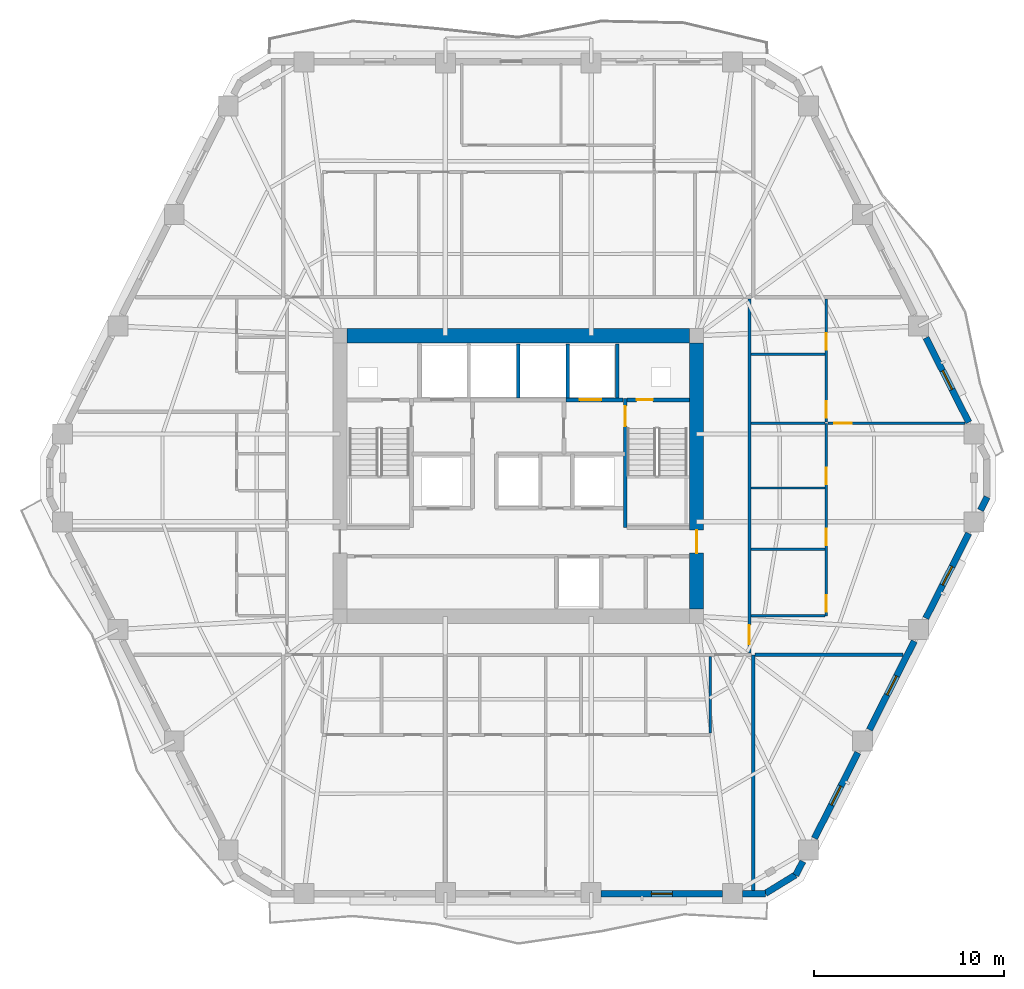
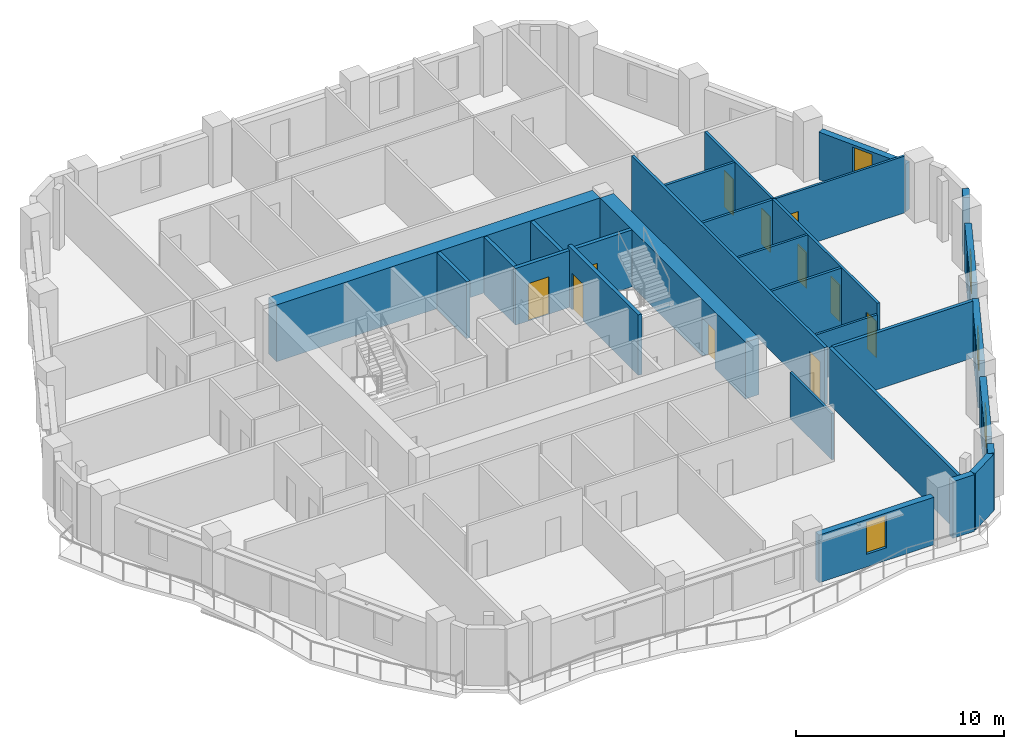
# One storey, part 6 of 12: 29 walls, 11 doors, 5 windows, 16 openings.
"""IFC4 building model written with IfcOpenShell, lengths in metres."""

from ifc_helpers import new_model, si_unit, direction, frame, frame_2d, origin, place, context, subcontext, project, spatial, rectangle, extrude, material, layer, layer_set, type_object, element, fill, save


model = new_model("IFC4")

# Units and contexts
model_context = context("Model", 3, precision=1e-05, world=origin(), true_north=direction((0.0, 1.0)))
body_context = subcontext(model_context, "Body", "Model", "MODEL_VIEW")
ifc_project = project(units=[si_unit("LENGTHUNIT", "METRE"), si_unit("AREAUNIT", "SQUARE_METRE"), si_unit("VOLUMEUNIT", "CUBIC_METRE"), si_unit("PLANEANGLEUNIT", "RADIAN"), si_unit("MASSUNIT", "GRAM", prefix="KILO")], contexts=[model_context])

# Site, building, storey
site_placement = place(None, origin())
site = spatial("IfcSite", under=ifc_project, at=site_placement, CompositionType="ELEMENT")
building_placement = place(site_placement, origin())
building = spatial("IfcBuilding", under=site, at=building_placement, Name="Cinnabar Lancet Tower", CompositionType="ELEMENT")
storey_placement = place(building_placement, frame((0.0, 0.0, 112.60009765625)))
storey = spatial("IfcBuildingStorey", under=building, at=storey_placement, Name="L29", CompositionType="ELEMENT", Elevation=112.60009765625)

# Wall, opening, door
ifc_material_1 = material(Name="Acoustic twin-stud gypsum partition", Category="gypsum")
ifc_layer_1 = layer(ifc_material_1, 0.159912109375)
ifc_layer_set_1 = layer_set([ifc_layer_1], Name="Acoustic twin-stud gypsum partition")
wall_type_1 = type_object("IfcWallType", Name="ARC-WL-CORR-160", PredefinedType="PARTITIONING", material=ifc_layer_set_1)
wall_1_placement = place(storey_placement, frame((44.550048828125, 16.594970703125, 0.0), z_axis=(0.0, 0.0, 1.0), x_axis=(0.0, 1.0, 0.0)))
wall_1 = element("IfcWall", 1, at=wall_1_placement, inside=storey, type_object=wall_type_1, Name="UW-L29-E01-COR", PredefinedType="PARTITIONING", context=body_context, shape_type="SweptSolid", body=[
    extrude(rectangle(XDim=18.610107421875, YDim=0.159912109375, at=frame_2d((9.30517578125, 0.0))), origin(), (0.0, 0.0, 1.0), 3.33984375),
])
opening_1_placement = place(wall_1_placement, frame((0.449951171875, 0.0, 0.0)))
opening_1 = element("IfcOpeningElement", 2, at=opening_1_placement, cuts=wall_1, Name="Opening UD-01", PredefinedType="OPENING", context=body_context, shape_type="SweptSolid", body=[
    extrude(rectangle(XDim=1.02001953125, YDim=2.25, at=frame_2d((0.510009765625, 1.125))), frame((0.0, 0.08984375, 0.0), z_axis=(0.0, -1.0, 0.0), x_axis=(1.0, 0.0, 0.0)), (0.0, 0.0, 1.0), 0.179931640625),
])
ifc_material_2 = material(Name="Solid timber fire-rated apartment entrance door", Category="wood")
door_type_1 = type_object("IfcDoorType", Name="ARC-DR-UNIT", OperationType="NOTDEFINED", PredefinedType="DOOR", material=ifc_material_2)
door_1_placement = place(opening_1_placement, origin())
door_1 = element("IfcDoor", 3, at=door_1_placement, inside=storey, type_object=door_type_1, Name="DR-L29-E01-ENT", OperationType="SINGLE_SWING_LEFT", OverallHeight=2.25, OverallWidth=1.02001953125, PredefinedType="DOOR", context=body_context, shape_type="SweptSolid", body=[
    extrude(rectangle(XDim=1.02001953125, YDim=2.25, at=frame_2d((0.510009765625, 1.125))), frame((0.0, 0.02490234375, 0.0), z_axis=(0.0, -1.0, 0.0), x_axis=(1.0, 0.0, 0.0)), (0.0, 0.0, 1.0), 0.050048828125),
])
fill(opening_1, door_1)

# Walls
ifc_material_3 = material(Name="Fire-rated twin-frame acoustic drywall", Category="gypsum")
ifc_layer_2 = layer(ifc_material_3, 0.179931640625)
ifc_layer_set_2 = layer_set([ifc_layer_2], Name="Fire-rated twin-frame acoustic drywall")
wall_type_2 = type_object("IfcWallType", Name="ARC-WL-PARTY-180", PredefinedType="PARTITIONING", material=ifc_layer_set_2)
wall_2_placement = place(storey_placement, frame((44.75, 4.10498046875, 0.0), z_axis=(0.0, 0.0, 1.0), x_axis=(0.0, 1.0, 0.0)))
element("IfcWall", 4, at=wall_2_placement, inside=storey, type_object=wall_type_2, Name="PW-L29-SPTY-448", PredefinedType="PARTITIONING", context=body_context, shape_type="SweptSolid", body=[
    extrude(rectangle(XDim=12.39501953125, YDim=0.179931640625, at=frame_2d((6.197509765625, 0.0))), origin(), (0.0, 0.0, 1.0), 3.33984375),
])
wall_3_placement = place(storey_placement, frame((44.844970703125, 16.5, 0.0), z_axis=(0.0, 0.0, 1.0), x_axis=(1.0, 0.0, 0.0)))
element("IfcWall", 5, at=wall_3_placement, inside=storey, type_object=wall_type_2, Name="PW-L29-ESB", PredefinedType="PARTITIONING", context=body_context, shape_type="SweptSolid", body=[
    extrude(rectangle(XDim=7.77001953125, YDim=0.179931640625, at=frame_2d((3.885009765625, 0.0))), origin(), (0.0, 0.0, 1.0), 3.33984375),
])

# Wall, opening, door
ifc_material_4 = material(Name="Autoclaved aerated concrete blockwork", Category="masonry")
ifc_layer_3 = layer(ifc_material_4, 0.199951171875)
ifc_layer_set_3 = layer_set([ifc_layer_3], Name="Autoclaved aerated concrete blockwork")
wall_type_3 = type_object("IfcWallType", Name="ARC-WL-SHAFT-200", PredefinedType="PLUMBINGWALL", material=ifc_layer_set_3)
wall_4_placement = place(storey_placement, frame((34.89990234375, 29.89990234375, 0.0), z_axis=(0.0, 0.0, 1.0), x_axis=(1.0, 0.0, 0.0)))
wall_4 = element("IfcWall", 6, at=wall_4_placement, inside=storey, type_object=wall_type_3, Name="CW-FL2-L29", PredefinedType="PLUMBINGWALL", context=body_context, shape_type="SweptSolid", body=[
    extrude(rectangle(XDim=3.01513671875, YDim=0.199951171875, at=frame_2d((1.507568359375, 0.0))), origin(), (0.0, 0.0, 1.0), 3.33984375),
])
opening_2_placement = place(wall_4_placement, frame((0.72509765625, 0.0, 0.0)))
opening_2 = element("IfcOpeningElement", 7, at=opening_2_placement, cuts=wall_4, Name="Opening LD-02", PredefinedType="OPENING", context=body_context, shape_type="SweptSolid", body=[
    extrude(rectangle(XDim=1.14990234375, YDim=2.199951171875, at=frame_2d((0.574951171875, 1.10009765625))), frame((0.0, 0.10986328125, 0.0), z_axis=(0.0, -1.0, 0.0), x_axis=(1.0, 0.0, 0.0)), (0.0, 0.0, 1.0), 0.219970703125),
])
ifc_material_5 = material(Name="Fire-rated stainless steel firefighting lift landing door", Category="steel")
door_type_2 = type_object("IfcDoorType", Name="ARC-DR-LD-FIRE", OperationType="NOTDEFINED", PredefinedType="DOOR", material=ifc_material_5)
door_2_placement = place(opening_2_placement, origin())
door_2 = element("IfcDoor", 8, at=door_2_placement, inside=storey, type_object=door_type_2, Name="L29 Firefighting Lift FL-2 Landing Door", OperationType="DOUBLE_DOOR_SLIDING", OverallHeight=2.199951171875, OverallWidth=1.14990234375, PredefinedType="DOOR", context=body_context, shape_type="SweptSolid", body=[
    extrude(rectangle(XDim=1.14990234375, YDim=2.199951171875, at=frame_2d((0.574951171875, 1.10009765625))), frame((0.0, 0.02490234375, 0.0), z_axis=(0.0, -1.0, 0.0), x_axis=(1.0, 0.0, 0.0)), (0.0, 0.0, 1.0), 0.050048828125),
])
fill(opening_2, door_2)

wall_5_placement = place(storey_placement, frame((38.125, 29.89990234375, 0.0), z_axis=(0.0, 0.0, 1.0), x_axis=(1.0, 0.0, 0.0)))
wall_5 = element("IfcWall", 9, at=wall_5_placement, inside=storey, type_object=wall_type_3, Name="CW-NSH-E-L29", PredefinedType="PLUMBINGWALL", context=body_context, shape_type="SweptSolid", body=[
    extrude(rectangle(XDim=3.27001953125, YDim=0.199951171875, at=frame_2d((1.635009765625, 0.0))), origin(), (0.0, 0.0, 1.0), 3.33984375),
])
opening_3_placement = place(wall_5_placement, frame((0.5, 0.0, 0.0)))
opening_3 = element("IfcOpeningElement", 10, at=opening_3_placement, cuts=wall_5, Name="Opening PD-02", PredefinedType="OPENING", context=body_context, shape_type="SweptSolid", body=[
    extrude(rectangle(XDim=0.85009765625, YDim=2.050048828125, at=frame_2d((0.425048828125, 1.02490234375))), frame((0.0, 0.10986328125, 0.0), z_axis=(0.0, -1.0, 0.0), x_axis=(1.0, 0.0, 0.0)), (0.0, 0.0, 1.0), 0.219970703125),
])
ifc_material_6 = material(Name="Fire-rated steel riser access door", Category="steel")
door_type_3 = type_object("IfcDoorType", Name="ARC-DR-RISER", OperationType="NOTDEFINED", PredefinedType="DOOR", material=ifc_material_6)
door_3_placement = place(opening_3_placement, origin())
door_3 = element("IfcDoor", 11, at=door_3_placement, inside=storey, type_object=door_type_3, Name="L29 East Riser Access Door", OperationType="SINGLE_SWING_RIGHT", OverallHeight=2.050048828125, OverallWidth=0.85009765625, PredefinedType="DOOR", context=body_context, shape_type="SweptSolid", body=[
    extrude(rectangle(XDim=0.85009765625, YDim=2.050048828125, at=frame_2d((0.425048828125, 1.02490234375))), frame((0.0, 0.02490234375, 0.0), z_axis=(0.0, -1.0, 0.0), x_axis=(1.0, 0.0, 0.0)), (0.0, 0.0, 1.0), 0.050048828125),
])
fill(opening_3, door_3)

# Walls
for number, where, z_axis, x_axis, name in (
    (12, (32.39990234375, 30.0, 0.0), (0.0, 0.0, 1.0), (0.0, 1.0, 0.0), "CW-NSH-D3-L29"),
    (13, (35.0, 30.0, 0.0), (0.0, 0.0, 1.0), (0.0, 1.0, 0.0), "CW-NSH-D4-L29"),
    (14, (37.60009765625, 30.0, 0.0), (0.0, 0.0, 1.0), (0.0, 1.0, 0.0), "CW-NSH-D5-L29"),
):
    element("IfcWall", number, at=place(storey_placement, frame(where, z_axis=z_axis, x_axis=x_axis)), inside=storey, type_object=wall_type_3, Name=name, PredefinedType="PLUMBINGWALL", context=body_context, shape_type="SweptSolid", body=[
        extrude(rectangle(XDim=2.85009765625, YDim=0.199951171875, at=frame_2d((1.425048828125, 0.0))), origin(), (0.0, 0.0, 1.0), 3.33984375),
    ])
ifc_material_7 = material(Name="Gypsum plasterboard stud partition", Category="gypsum")
ifc_layer_4 = layer(ifc_material_7, 0.125)
ifc_layer_set_4 = layer_set([ifc_layer_4], Name="Gypsum plasterboard stud partition")
wall_type_4 = type_object("IfcWallType", Name="ARC-WL-UNIT-125", PredefinedType="PARTITIONING", material=ifc_layer_set_4)
wall_6_placement = place(storey_placement, frame((42.5, 12.39111328125, 0.0), z_axis=(0.0, 0.0, 1.0), x_axis=(0.0, 1.0, 0.0)))
element("IfcWall", 15, at=wall_6_placement, inside=storey, type_object=wall_type_4, Name="UW-L29-S02-FOYW", PredefinedType="PARTITIONING", context=body_context, shape_type="SweptSolid", body=[
    extrude(rectangle(XDim=4.02392578125, YDim=0.125, at=frame_2d((2.011962890625, 0.0))), origin(), (0.0, 0.0, 1.0), 2.721923828125),
])
wall_7_placement = place(storey_placement, frame((44.635009765625, 18.550048828125, 0.0), z_axis=(0.0, 0.0, 1.0), x_axis=(1.0, 0.0, 0.0)))
element("IfcWall", 16, at=wall_7_placement, inside=storey, type_object=wall_type_4, Name="UW-L29-E01-FOYN", PredefinedType="PARTITIONING", context=body_context, shape_type="SweptSolid", body=[
    extrude(rectangle(XDim=3.8798828125, YDim=0.125, at=frame_2d((1.93994140625, 0.0))), origin(), (0.0, 0.0, 1.0), 2.721923828125),
])

# Wall, opening, door
wall_8_placement = place(storey_placement, frame((48.675048828125, 28.672119140625, 0.0), z_axis=(0.0, 0.0, 1.0), x_axis=(1.0, 0.0, 0.0)))
wall_8 = element("IfcWall", 17, at=wall_8_placement, inside=storey, type_object=wall_type_4, Name="UW-L29-E01-MBN", PredefinedType="PARTITIONING", context=body_context, shape_type="SweptSolid", body=[
    extrude(rectangle(XDim=7.2080078125, YDim=0.125, at=frame_2d((3.60400390625, 0.0))), origin(), (0.0, 0.0, 1.0), 3.33984375),
])
opening_4_placement = place(wall_8_placement, frame((0.35009765625, 0.0, 0.0)))
opening_4 = element("IfcOpeningElement", 18, at=opening_4_placement, cuts=wall_8, Name="Opening RD-01", PredefinedType="OPENING", context=body_context, shape_type="SweptSolid", body=[
    extrude(rectangle(XDim=0.919921875, YDim=2.14990234375, at=frame_2d((0.4599609375, 1.074951171875))), frame((0.0, 0.072509765625, 0.0), z_axis=(0.0, -1.0, 0.0), x_axis=(1.0, 0.0, 0.0)), (0.0, 0.0, 1.0), 0.14501953125),
])
ifc_material_8 = material(Name="Engineered timber bedroom door", Category="wood")
door_type_4 = type_object("IfcDoorType", Name="ARC-DR-ROOM", OperationType="NOTDEFINED", PredefinedType="DOOR", material=ifc_material_8)
door_4_placement = place(opening_4_placement, origin())
door_4 = element("IfcDoor", 19, at=door_4_placement, inside=storey, type_object=door_type_4, Name="DR-L29-E01-MBD", OperationType="SINGLE_SWING_LEFT", OverallHeight=2.14990234375, OverallWidth=0.919921875, PredefinedType="DOOR", context=body_context, shape_type="SweptSolid", body=[
    extrude(rectangle(XDim=0.919921875, YDim=2.14990234375, at=frame_2d((0.4599609375, 1.074951171875))), frame((0.0, 0.02490234375, 0.0), z_axis=(0.0, -1.0, 0.0), x_axis=(1.0, 0.0, 0.0)), (0.0, 0.0, 1.0), 0.050048828125),
])
fill(opening_4, door_4)

# Wall
wall_9_placement = place(storey_placement, frame((44.635009765625, 25.27197265625, 0.0), z_axis=(0.0, 0.0, 1.0), x_axis=(1.0, 0.0, 0.0)))
element("IfcWall", 20, at=wall_9_placement, inside=storey, type_object=wall_type_4, Name="UW-L29-E01-UDV", PredefinedType="PARTITIONING", context=body_context, shape_type="SweptSolid", body=[
    extrude(rectangle(XDim=3.8798828125, YDim=0.125, at=frame_2d((1.93994140625, 0.0))), origin(), (0.0, 0.0, 1.0), 3.33984375),
])

# Wall, openings, doors
ifc_material_9 = material(Name="Moisture-resistant cement-board plumbing wall", Category="masonry")
ifc_layer_5 = layer(ifc_material_9, 0.139892578125)
ifc_layer_set_5 = layer_set([ifc_layer_5], Name="Moisture-resistant cement-board plumbing wall")
wall_type_5 = type_object("IfcWallType", Name="ARC-WL-WET-140", PredefinedType="PLUMBINGWALL", material=ifc_layer_set_5)
wall_10_placement = place(storey_placement, frame((48.60009765625, 18.550048828125, 0.0), z_axis=(0.0, 0.0, 1.0), x_axis=(0.0, 1.0, 0.0)))
wall_10 = element("IfcWall", 21, at=wall_10_placement, inside=storey, type_object=wall_type_5, Name="UW-L29-E01-SPL", PredefinedType="PLUMBINGWALL", context=body_context, shape_type="SweptSolid", body=[
    extrude(rectangle(XDim=10.1220703125, YDim=0.139892578125, at=frame_2d((5.06103515625, 0.0))), origin(), (0.0, 0.0, 1.0), 3.33984375),
])
opening_5_placement = place(wall_10_placement, frame((0.199951171875, 0.0, 0.0)))
opening_5 = element("IfcOpeningElement", 22, at=opening_5_placement, cuts=wall_10, Name="Opening RD-02", PredefinedType="OPENING", context=body_context, shape_type="SweptSolid", body=[
    extrude(rectangle(XDim=0.8798828125, YDim=2.14990234375, at=frame_2d((0.43994140625, 1.074951171875))), frame((0.0, 0.079833984375, 0.0), z_axis=(0.0, -1.0, 0.0), x_axis=(1.0, 0.0, 0.0)), (0.0, 0.0, 1.0), 0.159912109375),
])
opening_6_placement = place(wall_10_placement, frame((3.699951171875, 0.0, 0.0)))
opening_6 = element("IfcOpeningElement", 23, at=opening_6_placement, cuts=wall_10, Name="Opening RD-02", PredefinedType="OPENING", context=body_context, shape_type="SweptSolid", body=[
    extrude(rectangle(XDim=0.8798828125, YDim=2.14990234375, at=frame_2d((0.43994140625, 1.074951171875))), frame((0.0, 0.079833984375, 0.0), z_axis=(0.0, -1.0, 0.0), x_axis=(1.0, 0.0, 0.0)), (0.0, 0.0, 1.0), 0.159912109375),
])
opening_7_placement = place(wall_10_placement, frame((6.922119140625, 0.0, 0.0)))
opening_7 = element("IfcOpeningElement", 24, at=opening_7_placement, cuts=wall_10, Name="Opening BD-01", PredefinedType="OPENING", context=body_context, shape_type="SweptSolid", body=[
    extrude(rectangle(XDim=0.860107421875, YDim=2.10009765625, at=frame_2d((0.43017578125, 1.050048828125))), frame((0.0, 0.079833984375, 0.0), z_axis=(0.0, -1.0, 0.0), x_axis=(1.0, 0.0, 0.0)), (0.0, 0.0, 1.0), 0.159912109375),
])
ifc_material_10 = material(Name="Moisture-resistant timber bathroom door", Category="wood")
door_type_5 = type_object("IfcDoorType", Name="ARC-DR-BATH", OperationType="NOTDEFINED", PredefinedType="DOOR", material=ifc_material_10)
door_5_placement = place(opening_7_placement, origin())
door_5 = element("IfcDoor", 25, at=door_5_placement, inside=storey, type_object=door_type_5, Name="DR-L29-E01-BTH", OperationType="SINGLE_SWING_RIGHT", OverallHeight=2.10009765625, OverallWidth=0.860107421875, PredefinedType="DOOR", context=body_context, shape_type="SweptSolid", body=[
    extrude(rectangle(XDim=0.860107421875, YDim=2.10009765625, at=frame_2d((0.43017578125, 1.050048828125))), frame((0.0, 0.02490234375, 0.0), z_axis=(0.0, -1.0, 0.0), x_axis=(1.0, 0.0, 0.0)), (0.0, 0.0, 1.0), 0.050048828125),
])
fill(opening_7, door_5)
ifc_material_11 = material(Name="Engineered timber study door", Category="wood")
door_type_6 = type_object("IfcDoorType", Name="ARC-DR-STUDY", OperationType="NOTDEFINED", PredefinedType="DOOR", material=ifc_material_11)
door_6_placement = place(opening_5_placement, origin())
door_6 = element("IfcDoor", 26, at=door_6_placement, inside=storey, type_object=door_type_6, Name="DR-L29-E01-KIT", OperationType="SINGLE_SWING_RIGHT", OverallHeight=2.14990234375, OverallWidth=0.8798828125, PredefinedType="DOOR", context=body_context, shape_type="SweptSolid", body=[
    extrude(rectangle(XDim=0.8798828125, YDim=2.14990234375, at=frame_2d((0.43994140625, 1.074951171875))), frame((0.0, 0.02490234375, 0.0), z_axis=(0.0, -1.0, 0.0), x_axis=(1.0, 0.0, 0.0)), (0.0, 0.0, 1.0), 0.050048828125),
])
fill(opening_5, door_6)
door_7_placement = place(opening_6_placement, origin())
door_7 = element("IfcDoor", 27, at=door_7_placement, inside=storey, type_object=door_type_6, Name="DR-L29-E01-UTL", OperationType="SINGLE_SWING_LEFT", OverallHeight=2.14990234375, OverallWidth=0.8798828125, PredefinedType="DOOR", context=body_context, shape_type="SweptSolid", body=[
    extrude(rectangle(XDim=0.8798828125, YDim=2.14990234375, at=frame_2d((0.43994140625, 1.074951171875))), frame((0.0, 0.02490234375, 0.0), z_axis=(0.0, -1.0, 0.0), x_axis=(1.0, 0.0, 0.0)), (0.0, 0.0, 1.0), 0.050048828125),
])
fill(opening_6, door_7)

wall_11_placement = place(storey_placement, frame((48.60009765625, 28.741943359375, 0.0), z_axis=(0.0, 0.0, 1.0), x_axis=(0.0, 1.0, 0.0)))
wall_11 = element("IfcWall", 28, at=wall_11_placement, inside=storey, type_object=wall_type_5, Name="UW-L29-E01-SPM", PredefinedType="PLUMBINGWALL", context=body_context, shape_type="SweptSolid", body=[
    extrude(rectangle(XDim=6.463134765625, YDim=0.139892578125, at=frame_2d((3.2314453125, 0.0))), origin(), (0.0, 0.0, 1.0), 3.33984375),
])
opening_8_placement = place(wall_11_placement, frame((0.219970703125, 0.0, 0.0)))
opening_8 = element("IfcOpeningElement", 29, at=opening_8_placement, cuts=wall_11, Name="Opening BD-01", PredefinedType="OPENING", context=body_context, shape_type="SweptSolid", body=[
    extrude(rectangle(XDim=0.860107421875, YDim=2.10009765625, at=frame_2d((0.43017578125, 1.050048828125))), frame((0.0, 0.079833984375, 0.0), z_axis=(0.0, -1.0, 0.0), x_axis=(1.0, 0.0, 0.0)), (0.0, 0.0, 1.0), 0.159912109375),
])
opening_9_placement = place(wall_11_placement, frame((3.785888671875, 0.0, 0.0)))
opening_9 = element("IfcOpeningElement", 30, at=opening_9_placement, cuts=wall_11, Name="Opening RD-02", PredefinedType="OPENING", context=body_context, shape_type="SweptSolid", body=[
    extrude(rectangle(XDim=0.8798828125, YDim=2.14990234375, at=frame_2d((0.43994140625, 1.074951171875))), frame((0.0, 0.079833984375, 0.0), z_axis=(0.0, -1.0, 0.0), x_axis=(1.0, 0.0, 0.0)), (0.0, 0.0, 1.0), 0.159912109375),
])
door_8_placement = place(opening_8_placement, origin())
door_8 = element("IfcDoor", 31, at=door_8_placement, inside=storey, type_object=door_type_5, Name="DR-L29-E01-ENS", OperationType="SINGLE_SWING_LEFT", OverallHeight=2.10009765625, OverallWidth=0.860107421875, PredefinedType="DOOR", context=body_context, shape_type="SweptSolid", body=[
    extrude(rectangle(XDim=0.860107421875, YDim=2.10009765625, at=frame_2d((0.43017578125, 1.050048828125))), frame((0.0, 0.02490234375, 0.0), z_axis=(0.0, -1.0, 0.0), x_axis=(1.0, 0.0, 0.0)), (0.0, 0.0, 1.0), 0.050048828125),
])
fill(opening_8, door_8)
door_9_placement = place(opening_9_placement, origin())
door_9 = element("IfcDoor", 32, at=door_9_placement, inside=storey, type_object=door_type_6, Name="DR-L29-E01-EWDR", OperationType="SINGLE_SWING_RIGHT", OverallHeight=2.14990234375, OverallWidth=0.8798828125, PredefinedType="DOOR", context=body_context, shape_type="SweptSolid", body=[
    extrude(rectangle(XDim=0.8798828125, YDim=2.14990234375, at=frame_2d((0.43994140625, 1.074951171875))), frame((0.0, 0.02490234375, 0.0), z_axis=(0.0, -1.0, 0.0), x_axis=(1.0, 0.0, 0.0)), (0.0, 0.0, 1.0), 0.050048828125),
])
fill(opening_9, door_9)

# Walls
for number, where, z_axis, x_axis, name in (
    (33, (44.635009765625, 28.672119140625, 0.0), (0.0, 0.0, 1.0), (1.0, 0.0, 0.0), "UW-L29-E01-ENSN"),
    (34, (44.635009765625, 22.050048828125, 0.0), (0.0, 0.0, 1.0), (1.0, 0.0, 0.0), "UW-L29-E01-KDV"),
    (35, (44.635009765625, 32.30810546875, 0.0), (0.0, 0.0, 1.0), (1.0, 0.0, 0.0), "UW-L29-E01-EWDV"),
):
    element("IfcWall", number, at=place(storey_placement, frame(where, z_axis=z_axis, x_axis=x_axis)), inside=storey, type_object=wall_type_5, Name=name, PredefinedType="PLUMBINGWALL", context=body_context, shape_type="SweptSolid", body=[
        extrude(rectangle(XDim=3.8798828125, YDim=0.139892578125, at=frame_2d((1.93994140625, 0.0))), origin(), (0.0, 0.0, 1.0), 3.33984375),
    ])
ifc_material_12 = material(Name="Cinnabar red clay brick", Category="masonry")
ifc_layer_6 = layer(ifc_material_12, 0.340087890625)
ifc_layer_set_6 = layer_set([ifc_layer_6], Name="Cinnabar red clay brick")
wall_type_6 = type_object("IfcWallType", Name="ENV-WL-BRK-RED-340", PredefinedType="STANDARD", material=ifc_layer_set_6)
wall_12_placement = place(storey_placement, frame((45.39697265625, 3.955078125, 0.0), z_axis=(0.0, 0.0, 1.0), x_axis=(0.851798915137, 0.523868884523, 0.0)))
element("IfcWall", 36, at=wall_12_placement, inside=storey, type_object=wall_type_6, Name="L29 Chamfered Corner Brick Pier 2.1", PredefinedType="STANDARD", context=body_context, shape_type="SweptSolid", body=[
    extrude(rectangle(XDim=1.847900390625, YDim=0.340087890625, at=frame_2d((0.923828125, 0.0))), origin(), (0.0, 0.0, 1.0), 3.33984375),
])

# Wall, opening, window
wall_13_placement = place(storey_placement, frame((36.760986328125, 3.929931640625, 0.0), z_axis=(0.0, 0.0, 1.0), x_axis=(1.0, 0.0, 0.0)))
wall_13 = element("IfcWall", 37, at=wall_13_placement, inside=storey, type_object=wall_type_6, Name="L29 Face 1 Masonry Bay Wall 4", PredefinedType="STANDARD", context=body_context, shape_type="SweptSolid", body=[
    extrude(rectangle(XDim=6.37890625, YDim=0.340087890625, at=frame_2d((3.189453125, 0.0))), origin(), (0.0, 0.0, 1.0), 2.796875),
])
opening_10_placement = place(wall_13_placement, frame((2.638916015625, 0.0, 0.75)))
opening_10 = element("IfcOpeningElement", 38, at=opening_10_placement, cuts=wall_13, Name="Opening WN-04", PredefinedType="OPENING", context=body_context, shape_type="SweptSolid", body=[
    extrude(rectangle(XDim=1.10009765625, YDim=1.89697265625, at=frame_2d((0.550048828125, 0.948486328125))), frame((0.0, 0.179931640625, 0.0), z_axis=(0.0, -1.0, 0.0), x_axis=(1.0, 0.0, 0.0)), (0.0, 0.0, 1.0), 0.360107421875),
])
ifc_material_13 = material(Name="Thermally broken bronze-anodized aluminium tall lancet window", Category="aluminium")
window_type = type_object("IfcWindowType", Name="ENV-WN-LANCET-1100", PartitioningType="SINGLE_PANEL", PredefinedType="WINDOW", material=ifc_material_13)
window_1_placement = place(opening_10_placement, origin())
window_1 = element("IfcWindow", 39, at=window_1_placement, inside=storey, type_object=window_type, Name="L29 Face 1 Gothic Lancet Window 4", OverallHeight=1.89697265625, OverallWidth=1.10009765625, PartitioningType="SINGLE_PANEL", PredefinedType="WINDOW", context=body_context, shape_type="SweptSolid", body=[
    extrude(rectangle(XDim=1.10009765625, YDim=1.89697265625, at=frame_2d((0.550048828125, 0.948486328125))), frame((0.0, 0.030029296875, 0.0), z_axis=(0.0, -1.0, 0.0), x_axis=(1.0, 0.0, 0.0)), (0.0, 0.0, 1.0), 0.06005859375),
])
fill(opening_10, window_1)

# Walls
wall_14_placement = place(storey_placement, frame((44.197998046875, 3.929931640625, 0.0), z_axis=(0.0, 0.0, 1.0), x_axis=(1.0, 0.0, 0.0)))
element("IfcWall", 40, at=wall_14_placement, inside=storey, type_object=wall_type_6, Name="L29 Face 1 Masonry Bay Wall 5", PredefinedType="STANDARD", context=body_context, shape_type="SweptSolid", body=[
    extrude(rectangle(XDim=1.2041015625, YDim=0.340087890625, at=frame_2d((0.60205078125, 0.0))), origin(), (0.0, 0.0, 1.0), 3.33984375),
])
wall_15_placement = place(storey_placement, frame((46.990966796875, 4.906982421875, 0.0), z_axis=(0.0, 0.0, 1.0), x_axis=(0.45172514337, 0.892157158155, 0.0)))
element("IfcWall", 41, at=wall_15_placement, inside=storey, type_object=wall_type_6, Name="L29 Face 2 Masonry Bay Wall 1", PredefinedType="STANDARD", context=body_context, shape_type="SweptSolid", body=[
    extrude(rectangle(XDim=0.821533203125, YDim=0.340087890625, at=frame_2d((0.41064453125, 0.0))), origin(), (0.0, 0.0, 1.0), 3.33984375),
])

# Wall, opening, window
wall_16_placement = place(storey_placement, frame((47.97509765625, 6.85205078125, 0.0), z_axis=(0.0, 0.0, 1.0), x_axis=(0.451548465867, 0.892246593142, 0.0)))
wall_16 = element("IfcWall", 42, at=wall_16_placement, inside=storey, type_object=wall_type_6, Name="L29 Face 2 Masonry Bay Wall 2", PredefinedType="STANDARD", context=body_context, shape_type="SweptSolid", body=[
    extrude(rectangle(XDim=5.040283203125, YDim=0.340087890625, at=frame_2d((2.52001953125, 0.0))), origin(), (0.0, 0.0, 1.0), 2.796875),
])
opening_11_placement = place(wall_16_placement, frame((1.969970703125, 0.0, 0.75)))
opening_11 = element("IfcOpeningElement", 43, at=opening_11_placement, cuts=wall_16, Name="Opening WN-04", PredefinedType="OPENING", context=body_context, shape_type="SweptSolid", body=[
    extrude(rectangle(XDim=1.10009765625, YDim=1.89697265625, at=frame_2d((0.550048828125, 0.948486328125))), frame((0.0, 0.179931640625, 0.0), z_axis=(0.0, -1.0, 0.0), x_axis=(1.0, 0.0, 0.0)), (0.0, 0.0, 1.0), 0.360107421875),
])
window_2_placement = place(opening_11_placement, origin())
window_2 = element("IfcWindow", 44, at=window_2_placement, inside=storey, type_object=window_type, Name="L29 Face 2 Gothic Lancet Window 2", OverallHeight=1.89697265625, OverallWidth=1.10009765625, PartitioningType="SINGLE_PANEL", PredefinedType="WINDOW", context=body_context, shape_type="SweptSolid", body=[
    extrude(rectangle(XDim=1.10009765625, YDim=1.89697265625, at=frame_2d((0.550048828125, 0.948486328125))), frame((0.0, 0.030029296875, 0.0), z_axis=(0.0, -1.0, 0.0), x_axis=(1.0, 0.0, 0.0)), (0.0, 0.0, 1.0), 0.06005859375),
])
fill(opening_11, window_2)

wall_17_placement = place(storey_placement, frame((50.863037109375, 12.56103515625, 0.0), z_axis=(0.0, 0.0, 1.0), x_axis=(0.451567731634, 0.892236842855, 0.0)))
wall_17 = element("IfcWall", 45, at=wall_17_placement, inside=storey, type_object=wall_type_6, Name="L29 Face 2 Masonry Bay Wall 3", PredefinedType="STANDARD", context=body_context, shape_type="SweptSolid", body=[
    extrude(rectangle(XDim=5.219482421875, YDim=0.340087890625, at=frame_2d((2.60986328125, 0.0))), origin(), (0.0, 0.0, 1.0), 2.796875),
])
opening_12_placement = place(wall_17_placement, frame((2.06005859375, 0.0, 0.75)))
opening_12 = element("IfcOpeningElement", 46, at=opening_12_placement, cuts=wall_17, Name="Opening WN-04", PredefinedType="OPENING", context=body_context, shape_type="SweptSolid", body=[
    extrude(rectangle(XDim=1.10009765625, YDim=1.89697265625, at=frame_2d((0.550048828125, 0.948486328125))), frame((0.0, 0.179931640625, 0.0), z_axis=(0.0, -1.0, 0.0), x_axis=(1.0, 0.0, 0.0)), (0.0, 0.0, 1.0), 0.360107421875),
])
window_3_placement = place(opening_12_placement, origin())
window_3 = element("IfcWindow", 47, at=window_3_placement, inside=storey, type_object=window_type, Name="L29 Face 2 Gothic Lancet Window 3", OverallHeight=1.89697265625, OverallWidth=1.10009765625, PartitioningType="SINGLE_PANEL", PredefinedType="WINDOW", context=body_context, shape_type="SweptSolid", body=[
    extrude(rectangle(XDim=1.10009765625, YDim=1.89697265625, at=frame_2d((0.550048828125, 0.948486328125))), frame((0.0, 0.030029296875, 0.0), z_axis=(0.0, -1.0, 0.0), x_axis=(1.0, 0.0, 0.0)), (0.0, 0.0, 1.0), 0.06005859375),
])
fill(opening_12, window_3)

wall_18_placement = place(storey_placement, frame((53.83203125, 18.427978515625, 0.0), z_axis=(0.0, 0.0, 1.0), x_axis=(0.451431617681, 0.892305718102, 0.0)))
wall_18 = element("IfcWall", 48, at=wall_18_placement, inside=storey, type_object=wall_type_6, Name="L29 Face 2 Masonry Bay Wall 4", PredefinedType="STANDARD", context=body_context, shape_type="SweptSolid", body=[
    extrude(rectangle(XDim=4.994873046875, YDim=0.340087890625, at=frame_2d((2.49755859375, 0.0))), origin(), (0.0, 0.0, 1.0), 2.796875),
])
opening_13_placement = place(wall_18_placement, frame((1.947021484375, 0.0, 0.75)))
opening_13 = element("IfcOpeningElement", 49, at=opening_13_placement, cuts=wall_18, Name="Opening WN-04", PredefinedType="OPENING", context=body_context, shape_type="SweptSolid", body=[
    extrude(rectangle(XDim=1.10009765625, YDim=1.89697265625, at=frame_2d((0.550048828125, 0.948486328125))), frame((0.0, 0.179931640625, 0.0), z_axis=(0.0, -1.0, 0.0), x_axis=(1.0, 0.0, 0.0)), (0.0, 0.0, 1.0), 0.360107421875),
])
window_4_placement = place(opening_13_placement, origin())
window_4 = element("IfcWindow", 50, at=window_4_placement, inside=storey, type_object=window_type, Name="L29 Face 2 Gothic Lancet Window 4", OverallHeight=1.89697265625, OverallWidth=1.10009765625, PartitioningType="SINGLE_PANEL", PredefinedType="WINDOW", context=body_context, shape_type="SweptSolid", body=[
    extrude(rectangle(XDim=1.10009765625, YDim=1.89697265625, at=frame_2d((0.550048828125, 0.948486328125))), frame((0.0, 0.030029296875, 0.0), z_axis=(0.0, -1.0, 0.0), x_axis=(1.0, 0.0, 0.0)), (0.0, 0.0, 1.0), 0.06005859375),
])
fill(opening_13, window_4)

# Wall
wall_19_placement = place(storey_placement, frame((56.699951171875, 24.096923828125, 0.0), z_axis=(0.0, 0.0, 1.0), x_axis=(0.451819324107, 0.89210946546, 0.0)))
element("IfcWall", 51, at=wall_19_placement, inside=storey, type_object=wall_type_6, Name="L29 Face 2 Masonry Bay Wall 5", PredefinedType="STANDARD", context=body_context, shape_type="SweptSolid", body=[
    extrude(rectangle(XDim=0.783447265625, YDim=0.340087890625, at=frame_2d((0.3916015625, 0.0))), origin(), (0.0, 0.0, 1.0), 3.33984375),
])

# Wall, opening, window
wall_20_placement = place(storey_placement, frame((56.0869140625, 28.715087890625, 0.0), z_axis=(0.0, 0.0, 1.0), x_axis=(-0.451431617681, 0.892305718102, 0.0)))
wall_20 = element("IfcWall", 52, at=wall_20_placement, inside=storey, type_object=wall_type_6, Name="L29 Face 3 Masonry Bay Wall 2", PredefinedType="STANDARD", context=body_context, shape_type="SweptSolid", body=[
    extrude(rectangle(XDim=4.994873046875, YDim=0.340087890625, at=frame_2d((2.49755859375, 0.0))), origin(), (0.0, 0.0, 1.0), 2.796875),
])
opening_14_placement = place(wall_20_placement, frame((1.947021484375, 0.0, 0.75)))
opening_14 = element("IfcOpeningElement", 53, at=opening_14_placement, cuts=wall_20, Name="Opening WN-04", PredefinedType="OPENING", context=body_context, shape_type="SweptSolid", body=[
    extrude(rectangle(XDim=1.10009765625, YDim=1.89697265625, at=frame_2d((0.550048828125, 0.948486328125))), frame((0.0, 0.179931640625, 0.0), z_axis=(0.0, -1.0, 0.0), x_axis=(1.0, 0.0, 0.0)), (0.0, 0.0, 1.0), 0.360107421875),
])
window_5_placement = place(opening_14_placement, origin())
window_5 = element("IfcWindow", 54, at=window_5_placement, inside=storey, type_object=window_type, Name="L29 Face 3 Gothic Lancet Window 2", OverallHeight=1.89697265625, OverallWidth=1.10009765625, PartitioningType="SINGLE_PANEL", PredefinedType="WINDOW", context=body_context, shape_type="SweptSolid", body=[
    extrude(rectangle(XDim=1.10009765625, YDim=1.89697265625, at=frame_2d((0.550048828125, 0.948486328125))), frame((0.0, 0.030029296875, 0.0), z_axis=(0.0, -1.0, 0.0), x_axis=(1.0, 0.0, 0.0)), (0.0, 0.0, 1.0), 0.06005859375),
])
fill(opening_14, window_5)

# Wall
ifc_material_14 = material(Name="Concrete C70/85", Category="concrete")
ifc_layer_7 = layer(ifc_material_14, 0.75)
ifc_layer_set_7 = layer_set([ifc_layer_7], Name="Concrete C70/85")
wall_type_7 = type_object("IfcWallType", Name="STR-WL-CORE-750", PredefinedType="SHEAR", material=ifc_layer_set_7)
wall_21_placement = place(storey_placement, frame((23.39990234375, 33.27490234375, 0.0), z_axis=(0.0, 0.0, 1.0), x_axis=(1.0, 0.0, 0.0)))
element("IfcWall", 55, at=wall_21_placement, inside=storey, type_object=wall_type_7, Name="L29 Core Shear Wall N", PredefinedType="SHEAR", context=body_context, shape_type="SweptSolid", body=[
    extrude(rectangle(XDim=18.0, YDim=0.75, at=frame_2d((9.0, 0.0))), origin(), (0.0, 0.0, 1.0), 3.33984375),
])

# Wall, opening, door
wall_22_placement = place(storey_placement, frame((41.77490234375, 18.89990234375, 0.0), z_axis=(0.0, 0.0, 1.0), x_axis=(0.0, 1.0, 0.0)))
wall_22 = element("IfcWall", 56, at=wall_22_placement, inside=storey, type_object=wall_type_7, Name="L29 Core Shear Wall E", PredefinedType="SHEAR", context=body_context, shape_type="SweptSolid", body=[
    extrude(rectangle(XDim=14.0, YDim=0.75, at=frame_2d((7.0, 0.0))), origin(), (0.0, 0.0, 1.0), 3.33984375),
])
opening_15_placement = place(wall_22_placement, frame((2.93994140625, 0.0, 0.0)))
opening_15 = element("IfcOpeningElement", 57, at=opening_15_placement, cuts=wall_22, Name="Opening FD-02", PredefinedType="OPENING", context=body_context, shape_type="SweptSolid", body=[
    extrude(rectangle(XDim=1.219970703125, YDim=2.25, at=frame_2d((0.60986328125, 1.125))), frame((0.0, 0.385009765625, 0.0), z_axis=(0.0, -1.0, 0.0), x_axis=(1.0, 0.0, 0.0)), (0.0, 0.0, 1.0), 0.77001953125),
])
ifc_material_15 = material(Name="Fire-rated double-vision core portal door", Category="wood")
door_type_7 = type_object("IfcDoorType", Name="ARC-DR-CPORT", OperationType="NOTDEFINED", PredefinedType="DOOR", material=ifc_material_15)
door_10_placement = place(opening_15_placement, origin())
door_10 = element("IfcDoor", 58, at=door_10_placement, inside=storey, type_object=door_type_7, Name="L29 East Core Lobby Fire Door", OperationType="SINGLE_SWING_LEFT", OverallHeight=2.25, OverallWidth=1.219970703125, PredefinedType="DOOR", context=body_context, shape_type="SweptSolid", body=[
    extrude(rectangle(XDim=1.219970703125, YDim=2.25, at=frame_2d((0.60986328125, 1.125))), frame((0.0, 0.02490234375, 0.0), z_axis=(0.0, -1.0, 0.0), x_axis=(1.0, 0.0, 0.0)), (0.0, 0.0, 1.0), 0.050048828125),
])
fill(opening_15, door_10)

ifc_material_16 = material(Name="Concrete C50/60", Category="concrete")
ifc_layer_8 = layer(ifc_material_16, 0.199951171875)
ifc_layer_set_8 = layer_set([ifc_layer_8], Name="Concrete C50/60")
wall_type_8 = type_object("IfcWallType", Name="STR-WL-STAIR-200", PredefinedType="SHEAR", material=ifc_layer_set_8)
wall_23_placement = place(storey_placement, frame((38.02001953125, 23.199951171875, 0.0), z_axis=(0.0, 0.0, 1.0), x_axis=(0.0, 1.0, 0.0)))
wall_23 = element("IfcWall", 59, at=wall_23_placement, inside=storey, type_object=wall_type_8, Name="L29 Stair ST-2 Structural Enclosure Wall", PredefinedType="SHEAR", context=body_context, shape_type="SweptSolid", body=[
    extrude(rectangle(XDim=6.780029296875, YDim=0.199951171875, at=frame_2d((3.39013671875, 0.0))), origin(), (0.0, 0.0, 1.0), 3.5498046875),
])
opening_16_placement = place(wall_23_placement, frame((5.320068359375, 0.0, 0.0)))
opening_16 = element("IfcOpeningElement", 60, at=opening_16_placement, cuts=wall_23, Name="Opening SD-01", PredefinedType="OPENING", context=body_context, shape_type="SweptSolid", body=[
    extrude(rectangle(XDim=1.050048828125, YDim=2.14990234375, at=frame_2d((0.52490234375, 1.074951171875))), frame((0.0, 0.10986328125, 0.0), z_axis=(0.0, -1.0, 0.0), x_axis=(1.0, 0.0, 0.0)), (0.0, 0.0, 1.0), 0.219970703125),
])
ifc_material_17 = material(Name="Fire-rated steel stair exit door", Category="steel")
door_type_8 = type_object("IfcDoorType", Name="ARC-DR-STAIR", OperationType="NOTDEFINED", PredefinedType="DOOR", material=ifc_material_17)
door_11_placement = place(opening_16_placement, origin())
door_11 = element("IfcDoor", 61, at=door_11_placement, inside=storey, type_object=door_type_8, Name="L29 Stair ST-2 Fire Door", OperationType="SINGLE_SWING_RIGHT", OverallHeight=2.14990234375, OverallWidth=1.050048828125, PredefinedType="DOOR", context=body_context, shape_type="SweptSolid", body=[
    extrude(rectangle(XDim=1.050048828125, YDim=2.14990234375, at=frame_2d((0.52490234375, 1.074951171875))), frame((0.0, 0.02490234375, 0.0), z_axis=(0.0, -1.0, 0.0), x_axis=(1.0, 0.0, 0.0)), (0.0, 0.0, 1.0), 0.050048828125),
])
fill(opening_16, door_11)

save(model, "model.ifc")
